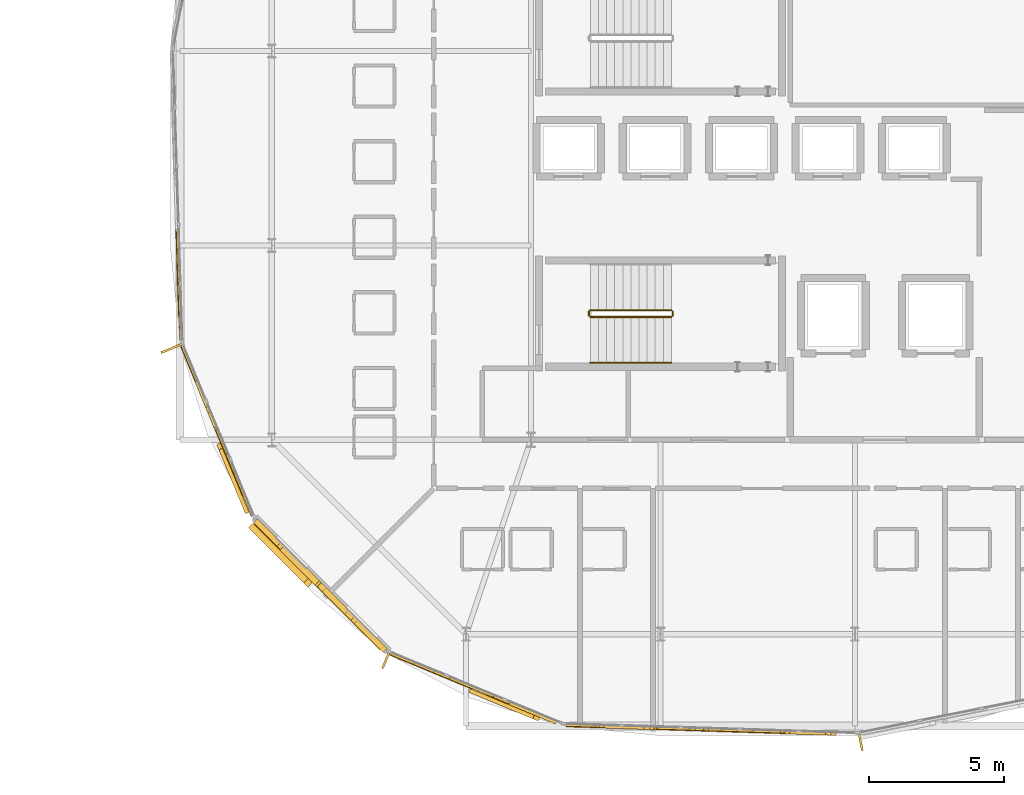
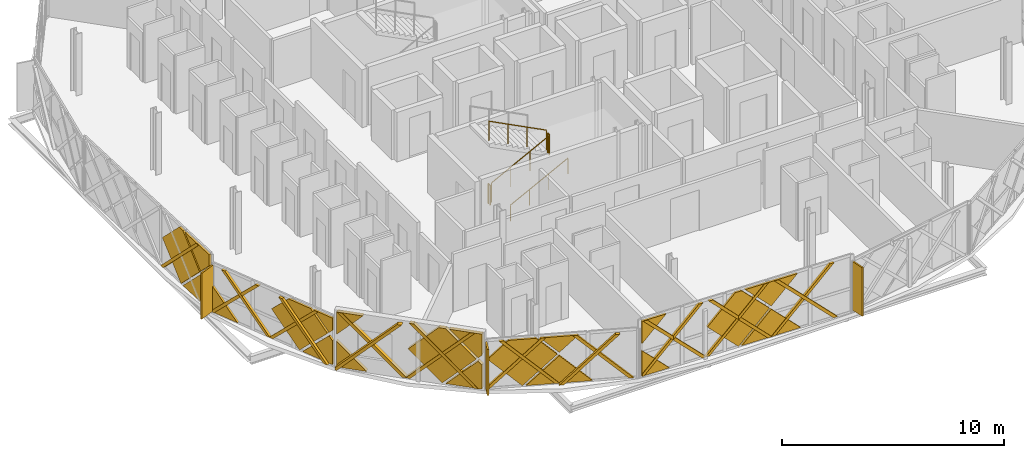
# One storey, part 22 of 26: 39 coverings, 5 railings, 3 shading devices.
"""IFC4 building model written with IfcOpenShell, lengths in metres."""

import ifcopenshell
import ifcopenshell.guid

model = None  # the IFC model being written
_history = None  # IfcOwnerHistory: only IFC2X3 demands one
_inside = {}  # id of a spatial element -> (the spatial element, [elements in it])
_under = {}  # id of a project, library or spatial element -> (it, [spatial elements below it])
_declared = {}  # id of a project -> (the project, [libraries it declares])
_typed = {}  # id of a type object -> (the type object, [elements of that type])
_made_of = {}  # id of a material, layer set ... -> (it, [elements and type objects made of it])


def new_model(schema):
    """Start an empty IFC model of exactly this schema.

    Asked for "IFC4X3", IfcOpenShell would pick the latest addendum, in which some entities
    have other attributes; the version numbers below select the first issue.
    IFC2X3 requires an IfcOwnerHistory on every rooted entity: one is made here for all.
    """
    global model, _history
    if schema == "IFC4X3":
        model = ifcopenshell.file(schema_version=(4, 3, 0, 0))
    else:
        model = ifcopenshell.file(schema=schema)
    _inside.clear()
    _under.clear()
    _declared.clear()
    _typed.clear()
    _made_of.clear()
    _history = None
    if model.schema == "IFC2X3":
        org = make("IfcOrganization", Name="unknown")
        user = make(
            "IfcPersonAndOrganization",
            ThePerson=make("IfcPerson", FamilyName="unknown"),
            TheOrganization=org,
        )
        app = make(
            "IfcApplication",
            ApplicationDeveloper=org,
            Version="unknown",
            ApplicationFullName="unknown",
            ApplicationIdentifier="unknown",
        )
        _history = make(
            "IfcOwnerHistory",
            OwningUser=user,
            OwningApplication=app,
            ChangeAction="ADDED",
            CreationDate=0,
        )
    return model


def make(cls, **values):
    """One entity of the class cls with the attributes given. An attribute that is None is left unset."""
    return model.create_entity(
        cls, **{name: value for name, value in values.items() if value is not None}
    )


def rooted(cls, **values):
    """An entity with a GlobalId (a new one), such as an element, a storey or a relation."""
    return make(cls, GlobalId=ifcopenshell.guid.new(), OwnerHistory=_history, **values)


def si_unit(unit_type, name, prefix=None):
    """IfcSIUnit, for example si_unit("LENGTHUNIT", "METRE", prefix="MILLI")."""
    return make("IfcSIUnit", UnitType=unit_type, Prefix=prefix, Name=name)


def assignment(units):
    """IfcUnitAssignment: the units of a project."""
    return None if units is None else make("IfcUnitAssignment", Units=units)


def point(xyz):
    """IfcCartesianPoint."""
    return None if xyz is None else make("IfcCartesianPoint", Coordinates=xyz)


def direction(xyz):
    """IfcDirection."""
    return None if xyz is None else make("IfcDirection", DirectionRatios=xyz)


def frame(location, z_axis=None, x_axis=None):
    """IfcAxis2Placement3D, a coordinate frame: its origin and axes. An axis left out is left unset."""
    return make(
        "IfcAxis2Placement3D",
        Location=point(location),
        Axis=direction(z_axis),
        RefDirection=direction(x_axis),
    )


def frame_2d(location, x_axis=None):
    """IfcAxis2Placement2D, a coordinate frame in the plane: its origin and x axis."""
    return make(
        "IfcAxis2Placement2D", Location=point(location), RefDirection=direction(x_axis)
    )


def origin():
    """The frame at (0, 0, 0) with its axes left unset."""
    return frame((0.0, 0.0, 0.0))


def origin_2d():
    """The frame at (0, 0) in the plane with its x axis left unset."""
    return frame_2d((0.0, 0.0))


def place(relative_to, where):
    """IfcLocalPlacement: puts the frame where relative to a parent placement (None: the world)."""
    return make(
        "IfcLocalPlacement", PlacementRelTo=relative_to, RelativePlacement=where
    )


def context(
    kind, dimensions, precision=None, world=None, true_north=None, identifier=None
):
    """IfcGeometricRepresentationContext, for example the 3D "Model" context."""
    return make(
        "IfcGeometricRepresentationContext",
        ContextIdentifier=identifier,
        ContextType=kind,
        CoordinateSpaceDimension=dimensions,
        Precision=precision,
        WorldCoordinateSystem=world,
        TrueNorth=true_north,
    )


def subcontext(parent, identifier, kind, view, scale=None):
    """IfcGeometricRepresentationSubContext, for example "Body" below "Model"."""
    return make(
        "IfcGeometricRepresentationSubContext",
        ContextIdentifier=identifier,
        ContextType=kind,
        ParentContext=parent,
        TargetScale=scale,
        TargetView=view,
    )


def project(units=None, contexts=None):
    """IfcProject with its units and contexts."""
    return rooted(
        "IfcProject",
        Name="project",
        RepresentationContexts=contexts,
        UnitsInContext=assignment(units),
    )


def spatial(cls, under=None, at=None, **own):
    """A site, building, storey or space (cls), placed at a placement, below another one or the project."""
    s = rooted(cls, ObjectPlacement=at, **own)
    if under is not None:
        _under.setdefault(under.id(), (under, []))[1].append(s)
    return s


def polyline(points):
    """IfcPolyline through the points."""
    return make("IfcPolyline", Points=[point(p) for p in points])


def profile(cls, at=None, kind="AREA", **sizes):
    """A parametric profile (cls). Its sizes go by their IFC names, for example OverallWidth=200.0."""
    return make(cls, ProfileType=kind, Position=at, **sizes)


def rectangle(**sizes):
    """IfcRectangleProfileDef."""
    return profile("IfcRectangleProfileDef", **sizes)


def circle(**sizes):
    """IfcCircleProfileDef."""
    return profile("IfcCircleProfileDef", **sizes)


def outline(outer, holes=None, kind="AREA"):
    """IfcArbitraryClosedProfileDef: a profile drawn as a closed curve; with holes, ...WithVoids."""
    if holes is None:
        return make("IfcArbitraryClosedProfileDef", ProfileType=kind, OuterCurve=outer)
    return make(
        "IfcArbitraryProfileDefWithVoids",
        ProfileType=kind,
        OuterCurve=outer,
        InnerCurves=holes,
    )


def extrude(swept, where, along, depth):
    """IfcExtrudedAreaSolid: the profile swept, set in the frame where, extruded along a direction by depth."""
    return make(
        "IfcExtrudedAreaSolid",
        SweptArea=swept,
        Position=where,
        ExtrudedDirection=direction(along),
        Depth=depth,
    )


def shape(context_of_items, identifier, shape_type, items):
    """IfcShapeRepresentation: the items that make up one representation, for example the "Body"."""
    return make(
        "IfcShapeRepresentation",
        ContextOfItems=context_of_items,
        RepresentationIdentifier=identifier,
        RepresentationType=shape_type,
        Items=items,
    )


def material(Name=None, Category=None):
    """IfcMaterial."""
    return make("IfcMaterial", Name=Name, Category=Category)


def layer(
    of_material, thickness, ventilated=None, Name=None, Category=None, Priority=None
):
    """IfcMaterialLayer: one layer of a wall or slab, of a material (None: an air gap)."""
    return make(
        "IfcMaterialLayer",
        Material=of_material,
        LayerThickness=thickness,
        IsVentilated=ventilated,
        Name=Name,
        Category=Category,
        Priority=Priority,
    )


def layer_set(layers, Name=None):
    """IfcMaterialLayerSet."""
    return make("IfcMaterialLayerSet", MaterialLayers=layers, LayerSetName=Name)


def made_of(thing, what):
    """Note that an element or type object is made of a material, layer set ...; save() writes the relation."""
    if what is not None:
        _made_of.setdefault(what.id(), (what, []))[1].append(thing)
    return thing


def type_object(cls, material=None, **own):
    """A type object (cls), such as IfcWallType, which elements share."""
    return made_of(rooted(cls, **own), material)


def element(
    cls,
    number,
    at=None,
    inside=None,
    cuts=None,
    type_object=None,
    material=None,
    context=None,
    identifier="Body",
    shape_type=None,
    held_by="IfcProductDefinitionShape",
    body=None,
    shapes=None,
    **own,
):
    """One element of the class cls, such as IfcWall. Its Tag is "e" and its number.

    at: its placement. inside: the storey or other place that contains it. cuts: it is an
    opening in that element (IfcRelVoidsElement). A single representation is given by context,
    identifier, shape_type and body (its items); several are given by shapes. held_by: the class
    of the entity that holds the representations. save() writes the other relations.
    """
    e = rooted(cls, Tag="e%d" % number, ObjectPlacement=at, **own)
    if body is not None:
        shapes = [shape(context, identifier, shape_type, body)]
    if shapes is not None:
        e.Representation = make(held_by, Representations=shapes)
    if inside is not None:
        _inside.setdefault(inside.id(), (inside, []))[1].append(e)
    if cuts is not None:
        rooted(
            "IfcRelVoidsElement", RelatingBuildingElement=cuts, RelatedOpeningElement=e
        )
    if type_object is not None:
        _typed.setdefault(type_object.id(), (type_object, []))[1].append(e)
    return made_of(e, material)


def aggregate(whole, parts):
    """IfcRelAggregates: a whole, such as a stair, and the parts it consists of."""
    return rooted("IfcRelAggregates", RelatingObject=whole, RelatedObjects=parts)


def save(model, path):
    """Write the relations noted so far, then the file.

    IfcRelAggregates (storeys below a building ...), IfcRelContainedInSpatialStructure (elements
    in a storey), IfcRelDefinesByType, IfcRelAssociatesMaterial and IfcRelDeclares: one each for
    every whole, place, type object, material and project.
    """
    for whole, parts in _under.values():
        aggregate(whole, parts)
    for where, things in _inside.values():
        rooted(
            "IfcRelContainedInSpatialStructure",
            RelatedElements=things,
            RelatingStructure=where,
        )
    for kind, things in _typed.values():
        rooted("IfcRelDefinesByType", RelatedObjects=things, RelatingType=kind)
    for what, things in _made_of.values():
        rooted("IfcRelAssociatesMaterial", RelatedObjects=things, RelatingMaterial=what)
    for by, libraries in _declared.values():
        rooted("IfcRelDeclares", RelatingContext=by, RelatedDefinitions=libraries)
    model.write(path)


model = new_model("IFC4")

# Units and contexts
model_context = context("Model", 3, precision=1e-05, world=origin(), true_north=direction((0.0, 1.0)))
body_context = subcontext(model_context, "Body", "Model", "MODEL_VIEW")
ifc_project = project(units=[si_unit("LENGTHUNIT", "METRE"), si_unit("AREAUNIT", "SQUARE_METRE"), si_unit("VOLUMEUNIT", "CUBIC_METRE"), si_unit("PLANEANGLEUNIT", "RADIAN"), si_unit("MASSUNIT", "GRAM", prefix="KILO")], contexts=[model_context])

# Site, building, storey
site_placement = place(None, origin())
site = spatial("IfcSite", under=ifc_project, at=site_placement, CompositionType="ELEMENT")
building_placement = place(site_placement, origin())
building = spatial("IfcBuilding", under=site, at=building_placement, Name="Zevrakil Square Congress Hotel", CompositionType="ELEMENT")
storey_placement = place(building_placement, frame((0.0, 0.0, 24.89990234375)))
storey = spatial("IfcBuildingStorey", under=building, at=storey_placement, Name="L07", CompositionType="ELEMENT", Elevation=24.89990234375)

# Coverings
ifc_material_1 = material(Name="Architectural White Fibre-C GRC", Category="concrete")
ifc_layer_1 = layer(ifc_material_1, 0.06494140625)
ifc_layer_set_1 = layer_set([ifc_layer_1], Name="Architectural White Fibre-C GRC")
covering_type_1 = type_object("IfcCoveringType", Name="COV-DIA-WHITE", PredefinedType="CLADDING", material=ifc_layer_set_1)
covering_1_placement = place(storey_placement, frame((123.764404296875, 21.22705078125, 1.590087890625), z_axis=(-0.999499890788, -0.031616847501, 0.00058589168), x_axis=(0.021940379743, -0.706703348733, -0.707169708504)))
element("IfcCovering", 1, at=covering_1_placement, inside=storey, type_object=covering_type_1, Name="L07 45-degree white GRC diamond facade cassette 2736", PredefinedType="CLADDING", context=body_context, shape_type="SweptSolid", body=[
    extrude(outline(polyline([(0.0, 0.0), (1.0439944126182823, 0.0), (1.5898992639783331, -0.5454842721949064), (0.00015586173328729913, -2.1355111729942435), (0.0, 0.0)])), origin(), (0.0, 0.0, -1.0), 0.1201171875),
])
covering_2_placement = place(storey_placement, frame((123.76171875, 21.31689453125, 1.68017578125), z_axis=(-0.999499956452, -0.031614397773, 0.000605727031), x_axis=(-0.022783504521, 0.706760601281, -0.707085825341)))
element("IfcCovering", 2, at=covering_2_placement, inside=storey, type_object=covering_type_1, Name="L07 45-degree white GRC diamond facade cassette 2738", PredefinedType="CLADDING", context=body_context, shape_type="SweptSolid", body=[
    extrude(outline(polyline([(0.0, 0.0), (2.2487905348478874, 0.0), (2.2487068046733287, -2.248574306920429), (0.22646942154888006, -2.2486256328772924), (0.00020220686048455505, -2.0223716548646236), (0.0, 0.0)])), origin(), (0.0, 0.0, -1.0), 0.1201171875),
])
covering_3_placement = place(storey_placement, frame((123.7646484375, 21.22705078125, 1.77001953125), z_axis=(-0.999501771548, -0.031556002339, 0.000653750467), x_axis=(-0.021850662277, 0.706745494019, 0.707130366511)))
element("IfcCovering", 3, at=covering_3_placement, inside=storey, type_object=covering_type_1, Name="L07 45-degree white GRC diamond facade cassette 2740", PredefinedType="CLADDING", context=body_context, shape_type="SweptSolid", body=[
    extrude(outline(polyline([(0.0, 0.0), (1.8951071715219414, 0.0), (0.4256568562714883, -1.4695490618448972), (0.00011177518628269212, -1.0440107602400903), (0.0, 0.0)])), origin(), (0.0, 0.0, -1.0), 0.1201171875),
])
covering_4_placement = place(storey_placement, frame((124.375, 18.960693359375, 0.080078125), z_axis=(-0.92389426872, -0.382647363919, 0.000612463642), x_axis=(-0.382647435687, 0.923894442002, 0.0)))
element("IfcCovering", 4, at=covering_4_placement, inside=storey, type_object=covering_type_1, Name="L07 45-degree white GRC diamond facade cassette 2747", PredefinedType="CLADDING", context=body_context, shape_type="SweptSolid", body=[
    extrude(outline(polyline([(0.0, 0.0), (1.4100467713356626, -5.421010862427522e-20), (1.4102176323163618, -1.4099123738123478), (0.0, 0.0)])), origin(), (0.0, 0.0, -1.0), 0.1201171875),
])
covering_5_placement = place(storey_placement, frame((126.36962890625, 14.147705078125, 1.590087890625), z_axis=(-0.92386810369, -0.382710638562, 0.000542324282), x_axis=(0.270236009364, -0.653355103566, -0.707177211092)))
element("IfcCovering", 5, at=covering_5_placement, inside=storey, type_object=covering_type_1, Name="L07 45-degree white GRC diamond facade cassette 2748", PredefinedType="CLADDING", context=body_context, shape_type="SweptSolid", body=[
    extrude(outline(polyline([(0.0, 0.0), (0.26272196635071365, 2.7755575615628914e-17), (1.1991408726097759, -0.9363095231817212), (0.00019873089311528425, -2.135490849810203), (0.0, 0.0)])), origin(), (0.0, 0.0, -1.0), 0.1201171875),
])
covering_6_placement = place(storey_placement, frame((126.33544921875, 14.23095703125, 1.68017578125), z_axis=(-0.923863263614, -0.382722240148, 0.000597528441), x_axis=(-0.271001617893, 0.653073885667, -0.707143990259)))
element("IfcCovering", 6, at=covering_6_placement, inside=storey, type_object=covering_type_1, Name="L07 45-degree white GRC diamond facade cassette 2749", PredefinedType="CLADDING", context=body_context, shape_type="SweptSolid", body=[
    extrude(outline(polyline([(0.0, 0.0), (2.2486055344491467, 2.220446049250313e-16), (2.248384065290901, -2.2486214805694704), (0.88390159866606, -2.248562399707439), (0.00012922350521138437, -1.3646966022911398), (0.0, 0.0)])), origin(), (0.0, 0.0, -1.0), 0.1201171875),
])
covering_7_placement = place(storey_placement, frame((126.369873046875, 14.147705078125, 1.77001953125), z_axis=(-0.92387244373, -0.382700122819, 0.000568956416), x_axis=(-0.270244441337, 0.653445559941, 0.707090405903)))
element("IfcCovering", 7, at=covering_7_placement, inside=storey, type_object=covering_type_1, Name="L07 45-degree white GRC diamond facade cassette 2750", PredefinedType="CLADDING", context=body_context, shape_type="SweptSolid", body=[
    extrude(outline(polyline([(0.0, 0.0), (1.2374654770293132, 3.3306690738754696e-16), (0.48738076424912335, -0.7500502630845178), (0.00017965902930786037, -0.2625624764110658), (0.0, 0.0)])), origin(), (0.0, 0.0, -1.0), 0.1201171875),
])
covering_8_placement = place(storey_placement, frame((127.513671875, 12.731689453125, 0.080078125), z_axis=(-0.707106648673, -0.707106648673, 0.000612213549), x_axis=(-0.707106781187, 0.707106781187, 0.0)))
element("IfcCovering", 8, at=covering_8_placement, inside=storey, type_object=covering_type_1, Name="L07 45-degree white GRC diamond facade cassette 2755", PredefinedType="CLADDING", context=body_context, shape_type="SweptSolid", body=[
    extrude(outline(polyline([(0.0, 0.0), (1.4100703585770802, 0.0), (1.4102429920685808, -1.4099123735964307), (0.0, 0.0)])), origin(), (0.0, 0.0, -1.0), 0.2099609375),
])
covering_9_placement = place(storey_placement, frame((131.1982421875, 9.04833984375, 1.590087890625), z_axis=(-0.707131996288, -0.707081337668, 0.000567227862), x_axis=(0.499744388128, -0.500347388263, -0.707041750955)))
element("IfcCovering", 9, at=covering_9_placement, inside=storey, type_object=covering_type_1, Name="L07 45-degree white GRC diamond facade cassette 2756", PredefinedType="CLADDING", context=body_context, shape_type="SweptSolid", body=[
    extrude(outline(polyline([(0.0, 0.0), (0.26242709034075595, -2.7755575615628914e-17), (1.198877946036626, -0.9366227718015449), (-0.00020670090053709345, -2.1354873319760017), (0.0, 0.0)])), origin(), (0.0, 0.0, -1.0), 0.2099609375),
])
covering_10_placement = place(storey_placement, frame((131.134521484375, 9.112060546875, 1.68017578125), z_axis=(-0.707106641906, -0.707106641906, 0.000627649203), x_axis=(-0.500292804494, 0.499665128889, -0.707136386239)))
element("IfcCovering", 10, at=covering_10_placement, inside=storey, type_object=covering_type_1, Name="L07 45-degree white GRC diamond facade cassette 2757", PredefinedType="CLADDING", context=body_context, shape_type="SweptSolid", body=[
    extrude(outline(polyline([(0.0, 0.0), (2.24862974849449, -2.220446049250313e-16), (2.2484405679846855, -2.248629740536474), (0.22621762743305207, -2.248550819456704), (-9.121149439694776e-05, -2.022222940034629), (0.0, 0.0)])), origin(), (0.0, 0.0, -1.0), 0.2099609375),
])
covering_11_placement = place(storey_placement, frame((126.517333984375, 13.7294921875, 1.8701171875), z_axis=(-0.707106671542, -0.707106671542, 0.00055688653), x_axis=(0.000393778242, 0.000393778242, 0.999999844939)))
element("IfcCovering", 11, at=covering_11_placement, inside=storey, type_object=covering_type_1, Name="L07 45-degree white GRC diamond facade cassette 2758", PredefinedType="CLADDING", context=body_context, shape_type="SweptSolid", body=[
    extrude(outline(polyline([(0.0, 0.0), (1.239990426649547, 0.0), (1.239990426649547, -1.2398537359574666), (0.0, 0.0)])), origin(), (0.0, 0.0, -1.0), 0.2099609375),
])
covering_12_placement = place(storey_placement, frame((131.1982421875, 9.048583984375, 1.77001953125), z_axis=(-0.707146841273, -0.707066525285, 0.000523162094), x_axis=(-0.499690067038, 0.500270039708, 0.707134869932)))
element("IfcCovering", 12, at=covering_12_placement, inside=storey, type_object=covering_type_1, Name="L07 45-degree white GRC diamond facade cassette 2759", PredefinedType="CLADDING", context=body_context, shape_type="SweptSolid", body=[
    extrude(outline(polyline([(0.0, 0.0), (1.8950951258019395, -1.1102230246251565e-16), (0.8162807430601412, -1.0789004558117679), (3.6889303989984246e-05, -0.2627217277324979), (0.0, 0.0)])), origin(), (0.0, 0.0, -1.0), 0.2099609375),
])
covering_13_placement = place(storey_placement, frame((134.587890625, 7.59326171875, 1.590087890625), z_axis=(-0.382680146954, -0.923880735009, 0.000540931678), x_axis=(0.653140417013, -0.27095095192, -0.707101956805)))
element("IfcCovering", 13, at=covering_13_placement, inside=storey, type_object=covering_type_1, Name="L07 45-degree white GRC diamond facade cassette 2764", PredefinedType="CLADDING", context=body_context, shape_type="SweptSolid", body=[
    extrude(outline(polyline([(0.0, 0.0), (2.13549085968891, 0.0), (-0.00011061307341742044, -2.135572956774093), (0.0, 0.0)])), origin(), (0.0, 0.0, -1.0), 0.1201171875),
])
covering_14_placement = place(storey_placement, frame((134.5048828125, 7.627685546875, 1.68017578125), z_axis=(-0.382696676159, -0.923873835351, 0.000624827962), x_axis=(-0.653463146066, 0.270206120778, -0.707088798545)))
element("IfcCovering", 14, at=covering_14_placement, inside=storey, type_object=covering_type_1, Name="L07 45-degree white GRC diamond facade cassette 2765", PredefinedType="CLADDING", context=body_context, shape_type="SweptSolid", body=[
    extrude(outline(polyline([(0.0, 0.0), (2.248781019460558, 4.440892098500626e-16), (2.248678895287756, -2.2344097958887392), (2.234523308988769, -2.248566096660216), (0.8842479072715209, -2.2486642787495374), (0.00018097837382025084, -1.364641914004097), (0.0, 0.0)])), origin(), (0.0, 0.0, -1.0), 0.1201171875),
])
covering_15_placement = place(storey_placement, frame((134.587890625, 7.593505859375, 1.77001953125), z_axis=(-0.382692649331, -0.92387558289, 0.000493444761), x_axis=(-0.653096483411, 0.27090678904, 0.70715945515)))
element("IfcCovering", 15, at=covering_15_placement, inside=storey, type_object=covering_type_1, Name="L07 45-degree white GRC diamond facade cassette 2766", PredefinedType="CLADDING", context=body_context, shape_type="SweptSolid", body=[
    extrude(outline(polyline([(0.0, 0.0), (1.2373446945069286, 1.1102230246251565e-16), (6.387529628804067e-05, -1.237465476786298), (0.0, 0.0)])), origin(), (0.0, 0.0, -1.0), 0.1201171875),
])
covering_16_placement = place(storey_placement, frame((139.498291015625, 6.142333984375, 0.080078125), z_axis=(-0.031688854721, -0.99949764727, 0.000519219557), x_axis=(-0.999497781996, 0.031688858993, 0.0)))
element("IfcCovering", 16, at=covering_16_placement, inside=storey, type_object=covering_type_1, Name="L07 45-degree white GRC diamond facade cassette 2771", PredefinedType="CLADDING", context=body_context, shape_type="SweptSolid", body=[
    extrude(outline(polyline([(0.0, 0.0), (1.4098877585153653, 6.776263578034403e-21), (1.4099109681288853, -1.4099122994234), (0.0, 0.0)])), origin(), (0.0, 0.0, -1.0), 0.1201171875),
])
covering_17_placement = place(storey_placement, frame((144.705810546875, 5.978759765625, 1.590087890625), z_axis=(-0.031608260045, -0.999500069571, 0.000727202961), x_axis=(0.70675041326, -0.022864782053, -0.707093384991)))
element("IfcCovering", 17, at=covering_17_placement, inside=storey, type_object=covering_type_1, Name="L07 45-degree white GRC diamond facade cassette 2772", PredefinedType="CLADDING", context=body_context, shape_type="SweptSolid", body=[
    extrude(outline(polyline([(0.0, 0.0), (2.1355167474011854, 0.0), (-3.067431088421557e-05, -2.1354676370165535), (0.0, 0.0)])), origin(), (0.0, 0.0, -1.0), 0.1201171875),
])
covering_18_placement = place(storey_placement, frame((144.615966796875, 5.981689453125, 1.68017578125), z_axis=(-0.03154009592, -0.999502305556, 0.000602940964), x_axis=(-0.706773819277, 0.02187626143, -0.707101264014)))
element("IfcCovering", 18, at=covering_18_placement, inside=storey, type_object=covering_type_1, Name="L07 45-degree white GRC diamond facade cassette 2773", PredefinedType="CLADDING", context=body_context, shape_type="SweptSolid", body=[
    extrude(outline(polyline([(0.0, 0.0), (2.2487415099035752, -2.220446049250313e-16), (2.2486522208522794, -2.2486179850897132), (0.22645311905568266, -2.248663212914616), (1.8206020924615984e-05, -2.0222318279362), (0.0, 0.0)])), origin(), (0.0, 0.0, -1.0), 0.1201171875),
])
covering_19_placement = place(storey_placement, frame((138.089111328125, 6.18798828125, 1.8701171875), z_axis=(-0.03149903039, -0.999503608069, 0.000590374252), x_axis=(0.0, 0.000590667351, 0.999999825556)))
element("IfcCovering", 19, at=covering_19_placement, inside=storey, type_object=covering_type_1, Name="L07 45-degree white GRC diamond facade cassette 2774", PredefinedType="CLADDING", context=body_context, shape_type="SweptSolid", body=[
    extrude(outline(polyline([(0.0, 0.0), (1.2399904506838633, -3.3881317890172014e-21), (1.2399673777404576, -1.240117321133198), (0.0, 0.0)])), origin(), (0.0, 0.0, -1.0), 0.1201171875),
])
covering_20_placement = place(storey_placement, frame((144.705810546875, 5.978759765625, 1.77001953125), z_axis=(-0.031613024565, -0.9994999784, 0.000640199752), x_axis=(-0.706665183326, 0.022803963072, 0.707180527124)))
element("IfcCovering", 20, at=covering_20_placement, inside=storey, type_object=covering_type_1, Name="L07 45-degree white GRC diamond facade cassette 2775", PredefinedType="CLADDING", context=body_context, shape_type="SweptSolid", body=[
    extrude(outline(polyline([(0.0, 0.0), (1.8949728382297812, 2.220446049250313e-16), (0.0002617294766290579, -1.8951071558099253), (0.0, 0.0)])), origin(), (0.0, 0.0, -1.0), 0.1201171875),
])
ifc_material_2 = material(Name="Anodised Champagne Aluminium", Category="aluminium")
ifc_layer_2 = layer(ifc_material_2, 0.0849609375)
ifc_layer_set_2 = layer_set([ifc_layer_2], Name="Anodised Champagne Aluminium")
covering_type_2 = type_object("IfcCoveringType", Name="COV-DIAGRID-45", PredefinedType="MOLDING", material=ifc_layer_set_2)
covering_21_placement = place(storey_placement, frame((123.63818359375, 24.398681640625, 0.080078125), z_axis=(-0.99951644641, -0.031073050147, 0.001157112885), x_axis=(-0.031073070973, 0.999517115541, -2.0701e-08)))
element("IfcCovering", 21, at=covering_21_placement, inside=storey, type_object=covering_type_2, Name="L07 45-degree aluminium diagrid rib 2743", PredefinedType="MOLDING", context=body_context, shape_type="SweptSolid", body=[
    extrude(outline(polyline([(0.0, 0.0), (0.21201655986480766, 0.0), (-2.817875966133866, -3.030031267011606), (-3.03013654873196, -3.0300312582284654), (0.0, 0.0)])), origin(), (0.0, 0.0, -1.0), 0.14501953125),
])
covering_22_placement = place(storey_placement, frame((123.845458984375, 20.17431640625, 0.080078125), z_axis=(-0.9239411778, -0.38253380991, 0.000764357094), x_axis=(-0.382533921696, 0.923941447686, -5.6403e-08)))
element("IfcCovering", 22, at=covering_22_placement, inside=storey, type_object=covering_type_2, Name="L07 45-degree aluminium diagrid rib 2751", PredefinedType="MOLDING", context=body_context, shape_type="SweptSolid", body=[
    extrude(outline(polyline([(0.0, 0.0), (0.08614428500355374, 0.0), (0.08614427788435755, -0.12622066625329112), (-2.3528036438389717, -2.5649420368019484), (-2.564943840248843, -2.5649419453072273), (0.0, 0.0)])), origin(), (0.0, 0.0, -1.0), 0.14501953125),
])
covering_23_placement = place(storey_placement, frame((125.131103515625, 17.0703125, 0.080078125), z_axis=(-0.923841311689, -0.382775372133, 0.000495282948), x_axis=(-0.382775419011, 0.92384142503, 1.54366e-07)))
element("IfcCovering", 23, at=covering_23_placement, inside=storey, type_object=covering_type_2, Name="L07 45-degree aluminium diagrid rib 2752", PredefinedType="MOLDING", context=body_context, shape_type="SweptSolid", body=[
    extrude(outline(polyline([(0.0, 0.0), (0.21191461474254916, -6.776263578034403e-21), (-2.3530290873212754, -2.5649420840754447), (-2.5652627003167643, -2.564942149549679), (0.0, 0.0)])), origin(), (0.0, 0.0, -1.0), 0.14501953125),
])
covering_24_placement = place(storey_placement, frame((124.008544921875, 19.7841796875, 2.64501953125), z_axis=(-0.923637135032, -0.383266250425, 0.001193346192), x_axis=(0.383266523615, -0.923637792577, 2.63345e-07)))
element("IfcCovering", 24, at=covering_24_placement, inside=storey, type_object=covering_type_2, Name="L07 45-degree aluminium diagrid rib 2753", PredefinedType="MOLDING", context=body_context, shape_type="SweptSolid", body=[
    extrude(outline(polyline([(0.0, 0.0), (0.21200812060799015, -1.3552527156068805e-20), (2.7770500282598873, -2.5649439639086173), (2.564816410143944, -2.5649438521867225), (0.0, 0.0)])), origin(), (0.0, 0.0, -1.0), 0.14501953125),
])
covering_25_placement = place(storey_placement, frame((125.29443359375, 16.68017578125, 2.64501953125), z_axis=(0.924128953895, 0.382080713192, 7.1968923e-05), x_axis=(0.382080714181, -0.924128956288, 0.0)))
element("IfcCovering", 25, at=covering_25_placement, inside=storey, type_object=covering_type_2, Name="L07 45-degree aluminium diagrid rib 2754", PredefinedType="MOLDING", context=body_context, shape_type="SweptSolid", body=[
    extrude(outline(polyline([(0.0, 0.0), (0.2121402219257289, -8.470329472543003e-22), (2.7771846809203824, 2.5649414128925905), (2.5650444589946537, 2.5649414128925905), (0.0, 0.0)])), origin(), (0.0, 0.0, -1.0), 0.14501953125),
])
covering_26_placement = place(storey_placement, frame((126.559814453125, 13.650390625, 0.080078125), z_axis=(0.706402814412, 0.707809934229, 0.000400995368), x_axis=(-0.707809991251, 0.706402871091, 4.04613e-07)))
element("IfcCovering", 26, at=covering_26_placement, inside=storey, type_object=covering_type_2, Name="L07 45-degree aluminium diagrid rib 2760", PredefinedType="MOLDING", context=body_context, shape_type="SweptSolid", body=[
    extrude(outline(polyline([(0.0, 0.0), (0.0861442413853317, 0.0), (0.08614429245585667, 0.12622069297701607), (-2.817895406833806, 3.0300306946907507), (-3.0300620346338585, 3.030030795961978), (0.0, 0.0)])), origin(), (0.0, 0.0, -1.0), 0.235107421875),
])
covering_27_placement = place(storey_placement, frame((128.935546875, 11.2744140625, 0.080078125), z_axis=(-0.70710664232, -0.70710664232, 0.000626716064), x_axis=(-0.707106781187, 0.707106781187, 0.0)))
element("IfcCovering", 27, at=covering_27_placement, inside=storey, type_object=covering_type_2, Name="L07 45-degree aluminium diagrid rib 2761", PredefinedType="MOLDING", context=body_context, shape_type="SweptSolid", body=[
    extrude(outline(polyline([(0.0, 0.0), (0.21199392756276378, 0.0), (-2.8178964817646523, -3.030029891932061), (-3.0298904093274164, -3.030029891932061), (0.0, 0.0)])), origin(), (0.0, 0.0, -1.0), 0.235107421875),
])
covering_28_placement = place(storey_placement, frame((126.53125, 13.681396484375, 3.110107421875), z_axis=(-0.707394502413, -0.706818916975, 0.000191212534), x_axis=(0.706818929907, -0.707394515334, 7.7824e-08)))
element("IfcCovering", 28, at=covering_28_placement, inside=storey, type_object=covering_type_2, Name="L07 45-degree aluminium diagrid rib 2762", PredefinedType="MOLDING", context=body_context, shape_type="SweptSolid", body=[
    extrude(outline(polyline([(0.0, 0.0), (0.2119939100044404, -3.3881317890172014e-21), (3.242229872409743, -3.0300296045892625), (3.0300632586662073, -3.0300295715795724), (0.0, 0.0)])), origin(), (0.0, 0.0, -1.0), 0.235107421875),
])
covering_29_placement = place(storey_placement, frame((128.906982421875, 11.305419921875, 3.110107421875), z_axis=(-0.706818572787, -0.707394157944, 0.001005221842), x_axis=(0.707394515635, -0.706818929606, 4.08792e-07)))
element("IfcCovering", 29, at=covering_29_placement, inside=storey, type_object=covering_type_2, Name="L07 45-degree aluminium diagrid rib 2763", PredefinedType="MOLDING", context=body_context, shape_type="SweptSolid", body=[
    extrude(outline(polyline([(0.0, 0.0), (0.21216661374355528, 1.3552527156068805e-20), (3.2420547605858108, -3.030032153082928), (3.0300608505814237, -3.030031979689215), (0.0, 0.0)])), origin(), (0.0, 0.0, -1.0), 0.235107421875),
])
covering_30_placement = place(storey_placement, frame((131.645751953125, 8.783935546875, 0.080078125), z_axis=(-0.382687072757, -0.923877821493, 0.000612615055), x_axis=(-0.923877994871, 0.382687144536, -5.6392e-08)))
element("IfcCovering", 30, at=covering_30_placement, inside=storey, type_object=covering_type_2, Name="L07 45-degree aluminium diagrid rib 2767", PredefinedType="MOLDING", context=body_context, shape_type="SweptSolid", body=[
    extrude(outline(polyline([(0.0, 0.0), (0.08614428487312245, 0.0), (0.0861442777553284, -0.126220679439859), (-2.3528105666390324, -2.5649417633737803), (-2.565044172354831, -2.564941698520383), (0.0, 0.0)])), origin(), (0.0, 0.0, -1.0), 0.14501953125),
])
covering_31_placement = place(storey_placement, frame((134.75, 7.498291015625, 0.080078125), z_axis=(0.382080713192, 0.924128953895, 7.1968923e-05), x_axis=(-0.924128956288, 0.382080714181, 0.0)))
element("IfcCovering", 31, at=covering_31_placement, inside=storey, type_object=covering_type_2, Name="L07 45-degree aluminium diagrid rib 2768", PredefinedType="MOLDING", context=body_context, shape_type="SweptSolid", body=[
    extrude(outline(polyline([(0.0, 0.0), (0.2121402219257289, 8.470329472543003e-22), (-2.3529042370689246, 2.5649414128925905), (-2.5650444589946537, 2.5649414128925905), (0.0, 0.0)])), origin(), (0.0, 0.0, -1.0), 0.14501953125),
])
covering_32_placement = place(storey_placement, frame((132.037109375, 8.62353515625, 2.64501953125), z_axis=(-0.382775364972, -0.923841294405, 0.000531716916), x_axis=(0.923841425034, -0.382775419, 1.65722e-07)))
element("IfcCovering", 32, at=covering_32_placement, inside=storey, type_object=covering_type_2, Name="L07 45-degree aluminium diagrid rib 2769", PredefinedType="MOLDING", context=body_context, shape_type="SweptSolid", body=[
    extrude(outline(polyline([(0.0, 0.0), (0.21191461474254958, 0.0), (2.7769517387102307, -2.564942229035608), (2.564718125714743, -2.564942158744963), (0.0, 0.0)])), origin(), (0.0, 0.0, -1.0), 0.14501953125),
])
covering_33_placement = place(storey_placement, frame((135.14111328125, 7.337890625, 2.64501953125), z_axis=(-0.382775372133, -0.923841311689, 0.000495282948), x_axis=(0.923841424971, -0.382775419152, -1.54134e-07)))
element("IfcCovering", 33, at=covering_33_placement, inside=storey, type_object=covering_type_2, Name="L07 45-degree aluminium diagrid rib 2770", PredefinedType="MOLDING", context=body_context, shape_type="SweptSolid", body=[
    extrude(outline(polyline([(0.0, 0.0), (0.21223361299549884, -6.776263578034403e-21), (2.777178106345826, -2.564941292788199), (2.5652634916032873, -2.5649413581640226), (0.0, 0.0)])), origin(), (0.0, 0.0, -1.0), 0.14501953125),
])
covering_34_placement = place(storey_placement, frame((138.17431640625, 6.1591796875, 0.080078125), z_axis=(-0.032240578028, -0.999479375146, 0.001234417089), x_axis=(-0.999480136692, 0.032240601059, -1.242264e-06)))
element("IfcCovering", 34, at=covering_34_placement, inside=storey, type_object=covering_type_2, Name="L07 45-degree aluminium diagrid rib 2776", PredefinedType="MOLDING", context=body_context, shape_type="SweptSolid", body=[
    extrude(outline(polyline([(0.0, 0.0), (0.08597940789238881, 0.0), (0.08598712233344231, -0.1262209081826901), (-2.8179999143877628, -3.0300280520132477), (-3.0300242052760162, -3.03002778844184), (0.0, 0.0)])), origin(), (0.0, 0.0, -1.0), 0.14501953125),
])
covering_35_placement = place(storey_placement, frame((141.53271484375, 6.052978515625, 0.080078125), z_axis=(-0.032222728564, -0.999479991339, 0.001201115124), x_axis=(-0.999480712302, 0.032222751834, 2.2283e-08)))
element("IfcCovering", 35, at=covering_35_placement, inside=storey, type_object=covering_type_2, Name="L07 45-degree aluminium diagrid rib 2777", PredefinedType="MOLDING", context=body_context, shape_type="SweptSolid", body=[
    extrude(outline(polyline([(0.0, 0.0), (0.21202429085198204, 1.6940658945086007e-21), (-2.817752134514358, -3.0300315453426596), (-3.030020439212117, -3.030031554797129), (0.0, 0.0)])), origin(), (0.0, 0.0, -1.0), 0.14501953125),
])
covering_36_placement = place(storey_placement, frame((144.89111328125, 5.947021484375, 0.080078125), z_axis=(-0.031055209542, -0.999517670071, 3.4289855e-05), x_axis=(-0.999517670659, 0.03105520956, 0.0)))
element("IfcCovering", 36, at=covering_36_placement, inside=storey, type_object=covering_type_2, Name="L07 45-degree aluminium diagrid rib 2778", PredefinedType="MOLDING", context=body_context, shape_type="SweptSolid", body=[
    extrude(outline(polyline([(0.0, 0.0), (0.21226058263198566, -2.6469779601696886e-23), (-2.8177621127300645, -3.030029298656345), (-3.0300226953620504, -3.030029298656345), (0.0, 0.0)])), origin(), (0.0, 0.0, -1.0), 0.14501953125),
])
covering_37_placement = place(storey_placement, frame((138.13232421875, 6.162353515625, 3.110107421875), z_axis=(-0.031073050147, -0.99951644641, 0.001157112885), x_axis=(0.999517115543, -0.031073070926, 2.0678e-08)))
element("IfcCovering", 37, at=covering_37_placement, inside=storey, type_object=covering_type_2, Name="L07 45-degree aluminium diagrid rib 2779", PredefinedType="MOLDING", context=body_context, shape_type="SweptSolid", body=[
    extrude(outline(polyline([(0.0, 0.0), (0.21226058259809438, -8.470329472543003e-22), (3.2421529832169655, -3.030031392385662), (3.030136423352158, -3.030031383612619), (0.0, 0.0)])), origin(), (0.0, 0.0, -1.0), 0.14501953125),
])
covering_38_placement = place(storey_placement, frame((141.49072265625, 6.05615234375, 3.110107421875), z_axis=(-0.031073050147, -0.99951644641, 0.001157112885), x_axis=(0.999517115541, -0.031073070973, -2.0701e-08)))
element("IfcCovering", 38, at=covering_38_placement, inside=storey, type_object=covering_type_2, Name="L07 45-degree aluminium diagrid rib 2780", PredefinedType="MOLDING", context=body_context, shape_type="SweptSolid", body=[
    extrude(outline(polyline([(0.0, 0.0), (0.21201655986480766, 0.0), (3.2421531085967676, -3.0300312582284654), (3.0298925259986738, -3.030031267011606), (0.0, 0.0)])), origin(), (0.0, 0.0, -1.0), 0.14501953125),
])
covering_39_placement = place(storey_placement, frame((144.84912109375, 5.949951171875, 3.110107421875), z_axis=(-0.031666134818, -0.999498364444, 0.000524765153), x_axis=(0.99949850207, -0.03166613902, 3.01986e-07)))
element("IfcCovering", 39, at=covering_39_placement, inside=storey, type_object=covering_type_2, Name="L07 45-degree aluminium diagrid rib 2781", PredefinedType="MOLDING", context=body_context, shape_type="SweptSolid", body=[
    extrude(outline(polyline([(0.0, 0.0), (0.21201652479247962, -4.235164736271502e-22), (3.241909622284283, -3.0300306930904646), (3.0298853665008316, -3.0300305650358874), (0.0, 0.0)])), origin(), (0.0, 0.0, -1.0), 0.14501953125),
])

# Railings
ifc_material_3 = material(Name="Steel S355", Category="steel")
railing_type_1 = type_object("IfcRailingType", Name="RLG-STAIR-GUARD-1100", PredefinedType="BALUSTRADE", material=ifc_material_3)
railing_1_placement = place(storey_placement, frame((139.0, 21.35009765625, 0.154541015625)))
element("IfcRailing", 40, at=railing_1_placement, inside=storey, type_object=railing_type_1, Name="L07 ST01 stair guard 1", PredefinedType="BALUSTRADE", context=body_context, shape_type="SweptSolid", body=[
    extrude(circle(Radius=0.02392578125, at=origin_2d()), frame((0.0, 0.0, 1.076171875), z_axis=(0.888950458371, 0.0, 0.45800336523), x_axis=(0.0, 1.0, 0.0)), (0.0, 0.0, 1.0), 3.374755859375),
    extrude(circle(Radius=0.02099609375, at=origin_2d()), origin(), (0.0, 0.0, 1.0), 1.052001953125),
    extrude(circle(Radius=0.02099609375, at=origin_2d()), frame((1.0, 0.0, 0.51513671875)), (0.0, 0.0, 1.0), 1.052001953125),
    extrude(circle(Radius=0.02099609375, at=origin_2d()), frame((2.0, 0.0, 1.030517578125)), (0.0, 0.0, 1.0), 1.052001953125),
    extrude(circle(Radius=0.02099609375, at=origin_2d()), frame((3.0, 0.0, 1.545654296875)), (0.0, 0.0, 1.0), 1.052001953125),
])
railing_2_placement = place(storey_placement, frame((142.050048828125, 21.39990234375, 1.7001953125)))
element("IfcRailing", 41, at=railing_2_placement, inside=storey, type_object=railing_type_1, Name="L07 ST01 stair guard 2", PredefinedType="BALUSTRADE", context=body_context, shape_type="SweptSolid", body=[
    extrude(circle(Radius=0.02392578125, at=origin_2d()), frame((0.0, 0.0, 1.076171875), z_axis=(0.0, 1.0, 0.0), x_axis=(-1.0, 0.0, 0.0)), (0.0, 0.0, 1.0), 0.150146484375),
    extrude(circle(Radius=0.02099609375, at=origin_2d()), origin(), (0.0, 0.0, 1.0), 1.052001953125),
    extrude(circle(Radius=0.02099609375, at=origin_2d()), frame((0.0, 0.150146484375, 0.0)), (0.0, 0.0, 1.0), 1.052001953125),
])
railing_3_placement = place(storey_placement, frame((142.0, 21.60009765625, 1.854736328125)))
element("IfcRailing", 42, at=railing_3_placement, inside=storey, type_object=railing_type_1, Name="L07 ST01 stair guard 3", PredefinedType="BALUSTRADE", context=body_context, shape_type="SweptSolid", body=[
    extrude(circle(Radius=0.02392578125, at=origin_2d()), frame((0.0, 0.0, 1.076171875), z_axis=(-0.888979911393, 0.0, 0.45794619459), x_axis=(0.0, -1.0, 0.0)), (0.0, 0.0, 1.0), 3.374755859375),
    extrude(circle(Radius=0.02099609375, at=origin_2d()), origin(), (0.0, 0.0, 1.0), 1.052001953125),
    extrude(circle(Radius=0.02099609375, at=origin_2d()), frame((-1.0, 0.0, 0.51513671875)), (0.0, 0.0, 1.0), 1.052001953125),
    extrude(circle(Radius=0.02099609375, at=origin_2d()), frame((-2.0, 0.0, 1.0302734375)), (0.0, 0.0, 1.0), 1.052001953125),
    extrude(circle(Radius=0.02099609375, at=origin_2d()), frame((-3.0, 0.0, 1.54541015625)), (0.0, 0.0, 1.0), 1.052001953125),
])
railing_4_placement = place(storey_placement, frame((138.949951171875, 21.39990234375, 0.0)))
element("IfcRailing", 43, at=railing_4_placement, inside=storey, type_object=railing_type_1, Name="L07 ST01 stair guard 4", PredefinedType="BALUSTRADE", context=body_context, shape_type="SweptSolid", body=[
    extrude(circle(Radius=0.02392578125, at=origin_2d()), frame((0.0, 0.0, 1.076171875), z_axis=(0.0, 1.0, 0.0), x_axis=(-1.0, 0.0, 0.0)), (0.0, 0.0, 1.0), 0.150146484375),
    extrude(circle(Radius=0.02099609375, at=origin_2d()), origin(), (0.0, 0.0, 1.0), 1.052001953125),
    extrude(circle(Radius=0.02099609375, at=origin_2d()), frame((0.0, 0.150146484375, 0.0)), (0.0, 0.0, 1.0), 1.052001953125),
])
ifc_material_4 = material(Name="Steel S355", Category="steel")
railing_type_2 = type_object("IfcRailingType", Name="RLG-STAIR-HAND-900", PredefinedType="HANDRAIL", material=ifc_material_4)
railing_5_placement = place(storey_placement, frame((139.0, 19.64990234375, 0.154541015625)))
element("IfcRailing", 44, at=railing_5_placement, inside=storey, type_object=railing_type_2, Name="L07 ST01 stair handrail 1", PredefinedType="HANDRAIL", context=body_context, shape_type="SweptSolid", body=[
    extrude(circle(Radius=0.02392578125, at=origin_2d()), frame((0.0, 0.0, 0.8759765625), z_axis=(0.888950458371, 0.0, 0.45800336523), x_axis=(0.0, 1.0, 0.0)), (0.0, 0.0, 1.0), 3.374755859375),
    extrude(circle(Radius=0.02099609375, at=origin_2d()), origin(), (0.0, 0.0, 1.0), 0.851806640625),
    extrude(circle(Radius=0.02099609375, at=origin_2d()), frame((1.0, 0.0, 0.51513671875)), (0.0, 0.0, 1.0), 0.851806640625),
    extrude(circle(Radius=0.02099609375, at=origin_2d()), frame((2.0, 0.0, 1.030517578125)), (0.0, 0.0, 1.0), 0.851806640625),
    extrude(circle(Radius=0.02099609375, at=origin_2d()), frame((3.0, 0.0, 1.545654296875)), (0.0, 0.0, 1.0), 0.851806640625),
])

# Shading devices
ifc_material_5 = material(Name="Aluminium Anodised Bronze", Category="aluminium")
shading_device_type_1 = type_object("IfcShadingDeviceType", Name="SHD-FIN-65", PredefinedType="USERDEFINED", material=ifc_material_5)
shading_device_1_placement = place(storey_placement, frame((149.011474609375, 5.609375, 0.10009765625), z_axis=(0.0, 0.0, 1.0), x_axis=(0.195090322016, -0.980785280403, 0.0)))
element("IfcShadingDevice", 45, at=shading_device_1_placement, inside=storey, type_object=shading_device_type_1, Name="L07 aluminium solar shading fin 146", ObjectType="SOLAR FIN", PredefinedType="USERDEFINED", context=body_context, shape_type="SweptSolid", body=[
    extrude(rectangle(XDim=0.64990234375, YDim=0.080078125, at=origin_2d()), origin(), (0.0, 0.0, 1.0), 2.675048828125),
])
shading_device_2_placement = place(storey_placement, frame((131.424560546875, 8.632080078125, 0.10009765625), z_axis=(0.0, 0.0, 1.0), x_axis=(-0.382683432365, -0.923879532511, 0.0)))
element("IfcShadingDevice", 46, at=shading_device_2_placement, inside=storey, type_object=shading_device_type_1, Name="L07 aluminium solar shading fin 153", ObjectType="SOLAR FIN", PredefinedType="USERDEFINED", context=body_context, shape_type="SweptSolid", body=[
    extrude(rectangle(XDim=0.64990234375, YDim=0.080078125, at=origin_2d()), origin(), (0.0, 0.0, 1.0), 2.52490234375),
])
ifc_material_6 = material(Name="Aluminium Anodised Bronze", Category="aluminium")
shading_device_type_2 = type_object("IfcShadingDeviceType", Name="SHD-FIN-85", PredefinedType="USERDEFINED", material=ifc_material_6)
shading_device_3_placement = place(storey_placement, frame((123.4892578125, 20.18505859375, 0.10009765625), z_axis=(0.0, 0.0, 1.0), x_axis=(-0.923879532511, -0.382683432365, 0.0)))
element("IfcShadingDevice", 47, at=shading_device_3_placement, inside=storey, type_object=shading_device_type_2, Name="L07 aluminium solar shading fin 152", ObjectType="SOLAR FIN", PredefinedType="USERDEFINED", context=body_context, shape_type="SweptSolid", body=[
    extrude(rectangle(XDim=0.85009765625, YDim=0.080078125, at=origin_2d()), origin(), (0.0, 0.0, 1.0), 2.52490234375),
])

save(model, "model.ifc")
